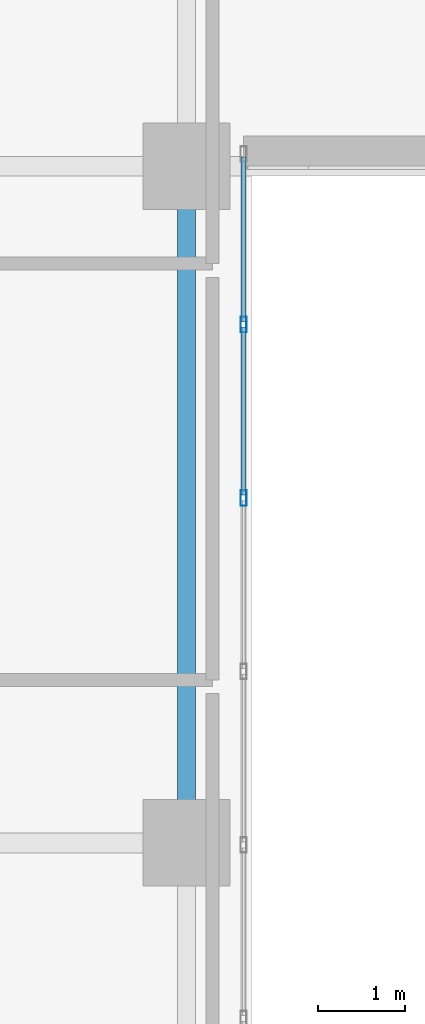
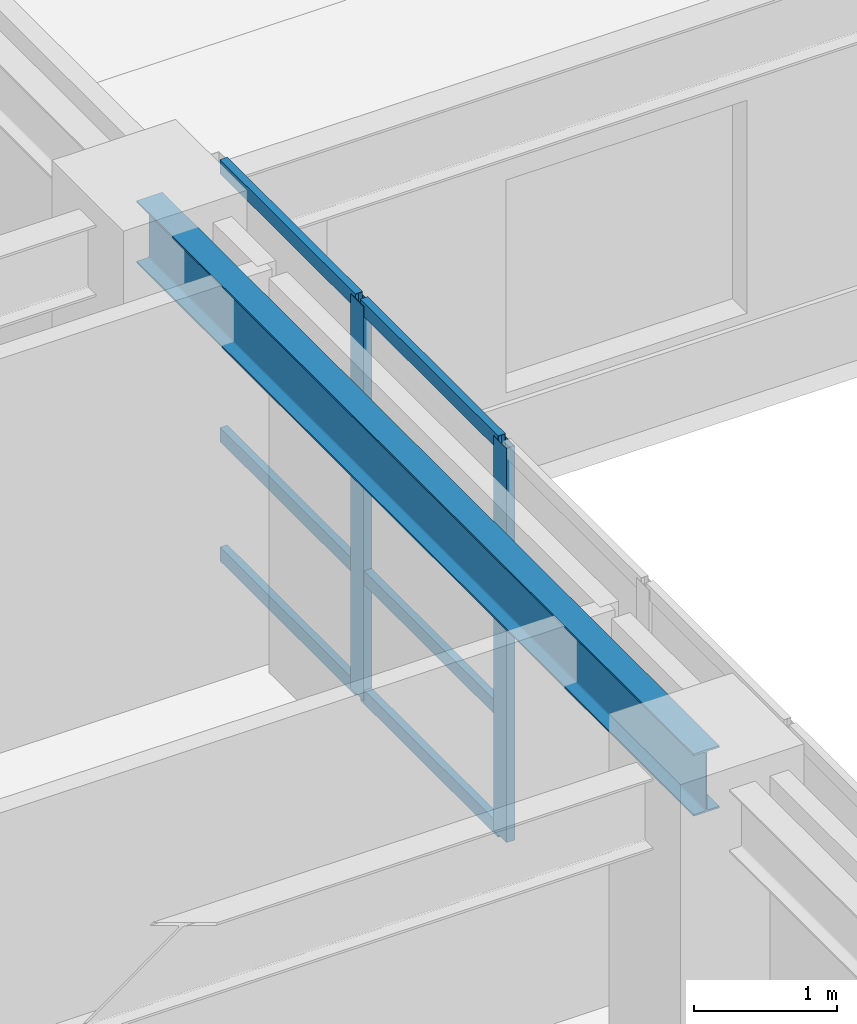
# One storey, part 3 of 25: 8 members, 1 beam, 1 element without a shape of its own.
"""IFC4 building model written with IfcOpenShell, lengths in metres."""

import ifcopenshell
import ifcopenshell.guid

model = None  # the IFC model being written
_history = None  # IfcOwnerHistory: only IFC2X3 demands one
_inside = {}  # id of a spatial element -> (the spatial element, [elements in it])
_under = {}  # id of a project, library or spatial element -> (it, [spatial elements below it])
_declared = {}  # id of a project -> (the project, [libraries it declares])
_typed = {}  # id of a type object -> (the type object, [elements of that type])
_made_of = {}  # id of a material, layer set ... -> (it, [elements and type objects made of it])


def new_model(schema):
    """Start an empty IFC model of exactly this schema.

    Asked for "IFC4X3", IfcOpenShell would pick the latest addendum, in which some entities
    have other attributes; the version numbers below select the first issue.
    IFC2X3 requires an IfcOwnerHistory on every rooted entity: one is made here for all.
    """
    global model, _history
    if schema == "IFC4X3":
        model = ifcopenshell.file(schema_version=(4, 3, 0, 0))
    else:
        model = ifcopenshell.file(schema=schema)
    _inside.clear()
    _under.clear()
    _declared.clear()
    _typed.clear()
    _made_of.clear()
    _history = None
    if model.schema == "IFC2X3":
        org = make("IfcOrganization", Name="unknown")
        user = make(
            "IfcPersonAndOrganization",
            ThePerson=make("IfcPerson", FamilyName="unknown"),
            TheOrganization=org,
        )
        app = make(
            "IfcApplication",
            ApplicationDeveloper=org,
            Version="unknown",
            ApplicationFullName="unknown",
            ApplicationIdentifier="unknown",
        )
        _history = make(
            "IfcOwnerHistory",
            OwningUser=user,
            OwningApplication=app,
            ChangeAction="ADDED",
            CreationDate=0,
        )
    return model


def make(cls, **values):
    """One entity of the class cls with the attributes given. An attribute that is None is left unset."""
    return model.create_entity(
        cls, **{name: value for name, value in values.items() if value is not None}
    )


def rooted(cls, **values):
    """An entity with a GlobalId (a new one), such as an element, a storey or a relation."""
    return make(cls, GlobalId=ifcopenshell.guid.new(), OwnerHistory=_history, **values)


def si_unit(unit_type, name, prefix=None):
    """IfcSIUnit, for example si_unit("LENGTHUNIT", "METRE", prefix="MILLI")."""
    return make("IfcSIUnit", UnitType=unit_type, Prefix=prefix, Name=name)


def assignment(units):
    """IfcUnitAssignment: the units of a project."""
    return None if units is None else make("IfcUnitAssignment", Units=units)


def point(xyz):
    """IfcCartesianPoint."""
    return None if xyz is None else make("IfcCartesianPoint", Coordinates=xyz)


def direction(xyz):
    """IfcDirection."""
    return None if xyz is None else make("IfcDirection", DirectionRatios=xyz)


def frame(location, z_axis=None, x_axis=None):
    """IfcAxis2Placement3D, a coordinate frame: its origin and axes. An axis left out is left unset."""
    return make(
        "IfcAxis2Placement3D",
        Location=point(location),
        Axis=direction(z_axis),
        RefDirection=direction(x_axis),
    )


def frame_2d(location, x_axis=None):
    """IfcAxis2Placement2D, a coordinate frame in the plane: its origin and x axis."""
    return make(
        "IfcAxis2Placement2D", Location=point(location), RefDirection=direction(x_axis)
    )


def origin():
    """The frame at (0, 0, 0) with its axes left unset."""
    return frame((0.0, 0.0, 0.0))


def origin_2d():
    """The frame at (0, 0) in the plane with its x axis left unset."""
    return frame_2d((0.0, 0.0))


def place(relative_to, where):
    """IfcLocalPlacement: puts the frame where relative to a parent placement (None: the world)."""
    return make(
        "IfcLocalPlacement", PlacementRelTo=relative_to, RelativePlacement=where
    )


def context(
    kind, dimensions, precision=None, world=None, true_north=None, identifier=None
):
    """IfcGeometricRepresentationContext, for example the 3D "Model" context."""
    return make(
        "IfcGeometricRepresentationContext",
        ContextIdentifier=identifier,
        ContextType=kind,
        CoordinateSpaceDimension=dimensions,
        Precision=precision,
        WorldCoordinateSystem=world,
        TrueNorth=true_north,
    )


def subcontext(parent, identifier, kind, view, scale=None):
    """IfcGeometricRepresentationSubContext, for example "Body" below "Model"."""
    return make(
        "IfcGeometricRepresentationSubContext",
        ContextIdentifier=identifier,
        ContextType=kind,
        ParentContext=parent,
        TargetScale=scale,
        TargetView=view,
    )


def project(units=None, contexts=None):
    """IfcProject with its units and contexts."""
    return rooted(
        "IfcProject",
        Name="project",
        RepresentationContexts=contexts,
        UnitsInContext=assignment(units),
    )


def spatial(cls, under=None, at=None, **own):
    """A site, building, storey or space (cls), placed at a placement, below another one or the project."""
    s = rooted(cls, ObjectPlacement=at, **own)
    if under is not None:
        _under.setdefault(under.id(), (under, []))[1].append(s)
    return s


def profile(cls, at=None, kind="AREA", **sizes):
    """A parametric profile (cls). Its sizes go by their IFC names, for example OverallWidth=200.0."""
    return make(cls, ProfileType=kind, Position=at, **sizes)


def hollow_rectangle(**sizes):
    """IfcRectangleHollowProfileDef."""
    return profile("IfcRectangleHollowProfileDef", **sizes)


def i_section(**sizes):
    """IfcIShapeProfileDef."""
    return profile("IfcIShapeProfileDef", **sizes)


def extrude(swept, where, along, depth):
    """IfcExtrudedAreaSolid: the profile swept, set in the frame where, extruded along a direction by depth."""
    return make(
        "IfcExtrudedAreaSolid",
        SweptArea=swept,
        Position=where,
        ExtrudedDirection=direction(along),
        Depth=depth,
    )


def shape(context_of_items, identifier, shape_type, items):
    """IfcShapeRepresentation: the items that make up one representation, for example the "Body"."""
    return make(
        "IfcShapeRepresentation",
        ContextOfItems=context_of_items,
        RepresentationIdentifier=identifier,
        RepresentationType=shape_type,
        Items=items,
    )


def source(mapping_origin, context_of_items, identifier, shape_type, items):
    """IfcRepresentationMap: a shape defined once, which mapped items show again and again."""
    return make(
        "IfcRepresentationMap",
        MappingOrigin=mapping_origin,
        MappedRepresentation=shape(context_of_items, identifier, shape_type, items),
    )


def transform(
    local_origin,
    x_axis=None,
    y_axis=None,
    z_axis=None,
    scale=None,
    scale2=None,
    scale3=None,
    uniform=True,
):
    """IfcCartesianTransformationOperator3D, or its non-uniform kind. x_axis, y_axis, z_axis: its Axis1, 2, 3."""
    if uniform:
        return make(
            "IfcCartesianTransformationOperator3D",
            Axis1=direction(x_axis),
            Axis2=direction(y_axis),
            LocalOrigin=point(local_origin),
            Scale=scale,
            Axis3=direction(z_axis),
        )
    return make(
        "IfcCartesianTransformationOperator3DnonUniform",
        Axis1=direction(x_axis),
        Axis2=direction(y_axis),
        LocalOrigin=point(local_origin),
        Scale=scale,
        Axis3=direction(z_axis),
        Scale2=scale2,
        Scale3=scale3,
    )


def mapped(mapping_source, mapping_target):
    """IfcMappedItem: shows the shape of a source again, moved by a transform."""
    return make(
        "IfcMappedItem", MappingSource=mapping_source, MappingTarget=mapping_target
    )


def material(Name=None, Category=None):
    """IfcMaterial."""
    return make("IfcMaterial", Name=Name, Category=Category)


def layer(
    of_material, thickness, ventilated=None, Name=None, Category=None, Priority=None
):
    """IfcMaterialLayer: one layer of a wall or slab, of a material (None: an air gap)."""
    return make(
        "IfcMaterialLayer",
        Material=of_material,
        LayerThickness=thickness,
        IsVentilated=ventilated,
        Name=Name,
        Category=Category,
        Priority=Priority,
    )


def layer_set(layers, Name=None):
    """IfcMaterialLayerSet."""
    return make("IfcMaterialLayerSet", MaterialLayers=layers, LayerSetName=Name)


def material_profile(
    of_material, cross_section, Name=None, Category=None, Priority=None
):
    """IfcMaterialProfile: a cross section and its material."""
    return make(
        "IfcMaterialProfile",
        Name=Name,
        Material=of_material,
        Profile=cross_section,
        Priority=Priority,
        Category=Category,
    )


def profile_set(profiles, Name=None, composite=None):
    """IfcMaterialProfileSet."""
    return make(
        "IfcMaterialProfileSet",
        Name=Name,
        MaterialProfiles=profiles,
        CompositeProfile=composite,
    )


def made_of(thing, what):
    """Note that an element or type object is made of a material, layer set ...; save() writes the relation."""
    if what is not None:
        _made_of.setdefault(what.id(), (what, []))[1].append(thing)
    return thing


def type_object(cls, material=None, **own):
    """A type object (cls), such as IfcWallType, which elements share."""
    return made_of(rooted(cls, **own), material)


def type_shapes(of_type, sources):
    """Give a type object the sources (RepresentationMaps) that its elements show as mapped items."""
    of_type.RepresentationMaps = sources


def element(
    cls,
    number,
    at=None,
    inside=None,
    cuts=None,
    type_object=None,
    material=None,
    context=None,
    identifier="Body",
    shape_type=None,
    held_by="IfcProductDefinitionShape",
    body=None,
    shapes=None,
    **own,
):
    """One element of the class cls, such as IfcWall. Its Tag is "e" and its number.

    at: its placement. inside: the storey or other place that contains it. cuts: it is an
    opening in that element (IfcRelVoidsElement). A single representation is given by context,
    identifier, shape_type and body (its items); several are given by shapes. held_by: the class
    of the entity that holds the representations. save() writes the other relations.
    """
    e = rooted(cls, Tag="e%d" % number, ObjectPlacement=at, **own)
    if body is not None:
        shapes = [shape(context, identifier, shape_type, body)]
    if shapes is not None:
        e.Representation = make(held_by, Representations=shapes)
    if inside is not None:
        _inside.setdefault(inside.id(), (inside, []))[1].append(e)
    if cuts is not None:
        rooted(
            "IfcRelVoidsElement", RelatingBuildingElement=cuts, RelatedOpeningElement=e
        )
    if type_object is not None:
        _typed.setdefault(type_object.id(), (type_object, []))[1].append(e)
    return made_of(e, material)


def aggregate(whole, parts):
    """IfcRelAggregates: a whole, such as a stair, and the parts it consists of."""
    return rooted("IfcRelAggregates", RelatingObject=whole, RelatedObjects=parts)


def save(model, path):
    """Write the relations noted so far, then the file.

    IfcRelAggregates (storeys below a building ...), IfcRelContainedInSpatialStructure (elements
    in a storey), IfcRelDefinesByType, IfcRelAssociatesMaterial and IfcRelDeclares: one each for
    every whole, place, type object, material and project.
    """
    for whole, parts in _under.values():
        aggregate(whole, parts)
    for where, things in _inside.values():
        rooted(
            "IfcRelContainedInSpatialStructure",
            RelatedElements=things,
            RelatingStructure=where,
        )
    for kind, things in _typed.values():
        rooted("IfcRelDefinesByType", RelatedObjects=things, RelatingType=kind)
    for what, things in _made_of.values():
        rooted("IfcRelAssociatesMaterial", RelatedObjects=things, RelatingMaterial=what)
    for by, libraries in _declared.values():
        rooted("IfcRelDeclares", RelatingContext=by, RelatedDefinitions=libraries)
    model.write(path)


model = new_model("IFC4")

# Units and contexts
model_context = context("Model", 3, precision=1e-05, world=origin(), true_north=direction((0.0, 1.0)))
body_context = subcontext(model_context, "Body", "Model", "MODEL_VIEW")
ifc_project = project(units=[si_unit("LENGTHUNIT", "METRE"), si_unit("AREAUNIT", "SQUARE_METRE"), si_unit("VOLUMEUNIT", "CUBIC_METRE"), si_unit("PLANEANGLEUNIT", "RADIAN"), si_unit("MASSUNIT", "GRAM", prefix="KILO")], contexts=[model_context])

# Site, building, storey
site_placement = place(None, origin())
site = spatial("IfcSite", under=ifc_project, at=site_placement, CompositionType="ELEMENT")
building_placement = place(site_placement, origin())
building = spatial("IfcBuilding", under=site, at=building_placement, Name="Tolvann Quenvar Hotel", CompositionType="ELEMENT")
storey_placement = place(building_placement, frame((0.0, 0.0, 46.199951171875)))
storey = spatial("IfcBuildingStorey", under=building, at=storey_placement, Name="L10", CompositionType="ELEMENT", Elevation=46.199951171875)

# Beam
ifc_material_1 = material(Name="Steel Grade 350", Category="steel")
ifc_material_profile_1 = material_profile(ifc_material_1, i_section(OverallWidth=0.208984375, OverallDepth=0.532958984375, WebThickness=0.01025390625, FlangeThickness=0.015625, FilletRadius=0.013916015625, at=origin_2d()), Name="530UB92")
ifc_profile_set_1 = profile_set([ifc_material_profile_1], Name="Steel Grade 350")
beam_type = type_object("IfcBeamType", Name="BM_GIRD_530UB92", PredefinedType="BEAM", material=ifc_profile_set_1)
shared_shape_1 = source(origin(), body_context, "Body", "SweptSolid", [
    extrude(i_section(OverallWidth=0.208984375, OverallDepth=0.532958984375, WebThickness=0.01025390625, FlangeThickness=0.015625, FilletRadius=0.013916015625, at=origin_2d()), origin(), (0.0, 0.0, 1.0), 7.800048828125),
])
type_shapes(beam_type, [shared_shape_1])
beam_placement = place(storey_placement, frame((22.050048828125, 8.199951171875, 3.103515625), z_axis=(0.0, 1.0, 0.0), x_axis=(-1.0, 0.0, 0.0)))
element("IfcBeam", 1, at=beam_placement, inside=storey, type_object=beam_type, Name="BM-L10-NS-E3-E4", PredefinedType="BEAM", context=body_context, shape_type="MappedRepresentation", body=[
    mapped(shared_shape_1, transform((0.0, 0.0, 0.0), x_axis=(1.0, 0.0, 0.0), y_axis=(0.0, 1.0, 0.0), z_axis=(0.0, 0.0, 1.0), scale=1.0)),
])

# Curtain wall, members
ifc_material_2 = material(Name="Thermally broken anodised architectural aluminium 6063-T6 and laminated low-E glass", Category="aluminium")
ifc_layer = layer(ifc_material_2, 0.179931640625)
ifc_layer_set = layer_set([ifc_layer], Name="Thermally broken anodised architectural aluminium 6063-T6 and laminated low-E glass")
curtain_wall_type = type_object("IfcCurtainWallType", Name="CW_SYS_SLOT_03", PredefinedType="USERDEFINED", material=ifc_layer_set)
curtain_wall_placement = place(storey_placement, origin())
curtain_wall = element("IfcCurtainWall", 2, at=curtain_wall_placement, inside=storey, type_object=curtain_wall_type, Name="Curtain Wall CW-SLOT-03 (CWR-L10-E05)", ObjectType="UNITISED CURTAIN WALL", PredefinedType="USERDEFINED")
ifc_material_3 = material(Name="Anodised architectural aluminium 6063-T6 framing", Category="aluminium")
ifc_material_profile_2 = material_profile(ifc_material_3, hollow_rectangle(XDim=0.070068359375, YDim=0.179931640625, WallThickness=0.00390625, at=origin_2d()), Name="180x70x4RHS")
ifc_profile_set_2 = profile_set([ifc_material_profile_2], Name="Anodised architectural aluminium 6063-T6 framing")
member_type_1 = type_object("IfcMemberType", Name="CW_MULL_180x70", PredefinedType="MULLION", material=ifc_profile_set_2)
shared_shape_2 = source(origin(), body_context, "Body", "SweptSolid", [
    extrude(hollow_rectangle(XDim=0.070068359375, YDim=0.179931640625, WallThickness=0.00390625, at=origin_2d()), origin(), (0.0, 0.0, 1.0), 3.3701171875),
])
type_shapes(member_type_1, [shared_shape_2])
member_1_placement = place(storey_placement, frame((22.7099609375, 12.175048828125, 0.0), z_axis=(0.0, 0.0, 1.0), x_axis=(-1.0, 0.0, 0.0)))
member_1 = element("IfcMember", 3, at=member_1_placement, type_object=member_type_1, Name="CW-SLOT-03 mullion 7", PredefinedType="MULLION", context=body_context, shape_type="MappedRepresentation", body=[
    mapped(shared_shape_2, transform((0.0, 0.0, 0.0), x_axis=(1.0, 0.0, 0.0), y_axis=(0.0, 1.0, 0.0), z_axis=(0.0, 0.0, 1.0), scale=1.0)),
])
member_2_placement = place(storey_placement, frame((22.7099609375, 14.175048828125, 0.0), z_axis=(0.0, 0.0, 1.0), x_axis=(-1.0, 0.0, 0.0)))
member_2 = element("IfcMember", 4, at=member_2_placement, type_object=member_type_1, Name="CW-SLOT-03 mullion 8", PredefinedType="MULLION", context=body_context, shape_type="MappedRepresentation", body=[
    mapped(shared_shape_2, transform((0.0, 0.0, 0.0), x_axis=(1.0, 0.0, 0.0), y_axis=(0.0, 1.0, 0.0), z_axis=(0.0, 0.0, 1.0), scale=1.0)),
])
ifc_material_profile_3 = material_profile(ifc_material_3, hollow_rectangle(XDim=0.06005859375, YDim=0.1201171875, WallThickness=0.00341796875, at=origin_2d()), Name="120x60x3.5RHS")
ifc_profile_set_3 = profile_set([ifc_material_profile_3], Name="Anodised architectural aluminium 6063-T6 framing")
member_type_2 = type_object("IfcMemberType", Name="CW_TRAN_120x60", PredefinedType="USERDEFINED", material=ifc_profile_set_3)
shared_shape_3 = source(origin(), body_context, "Body", "SweptSolid", [
    extrude(hollow_rectangle(XDim=0.06005859375, YDim=0.1201171875, WallThickness=0.00341796875, at=origin_2d()), origin(), (0.0, 0.0, 1.0), 1.929931640625),
])
member_3_placement = place(storey_placement, frame((22.7099609375, 12.2099609375, 0.030029296875), z_axis=(0.0, 1.0, 0.0), x_axis=(-1.0, 0.0, 0.0)))
member_3 = element("IfcMember", 5, at=member_3_placement, type_object=member_type_2, Name="CW-SLOT-03 transom 7.1", ObjectType="TRANSOM", PredefinedType="USERDEFINED", context=body_context, shape_type="MappedRepresentation", body=[
    mapped(shared_shape_3, transform((0.0, 0.0, 0.0), x_axis=(1.0, 0.0, 0.0), y_axis=(0.0, 1.0, 0.0), z_axis=(0.0, 0.0, 1.0), scale=1.0)),
])
member_4_placement = place(storey_placement, frame((22.7099609375, 12.2099609375, 1.050048828125), z_axis=(0.0, 1.0, 0.0), x_axis=(-1.0, 0.0, 0.0)))
member_4 = element("IfcMember", 6, at=member_4_placement, type_object=member_type_2, Name="CW-SLOT-03 transom 7.2", ObjectType="TRANSOM", PredefinedType="USERDEFINED", context=body_context, shape_type="MappedRepresentation", body=[
    mapped(shared_shape_3, transform((0.0, 0.0, 0.0), x_axis=(1.0, 0.0, 0.0), y_axis=(0.0, 1.0, 0.0), z_axis=(0.0, 0.0, 1.0), scale=1.0)),
])
member_5_placement = place(storey_placement, frame((22.7099609375, 12.2099609375, 3.340087890625), z_axis=(0.0, 1.0, 0.0), x_axis=(-1.0, 0.0, 0.0)))
member_5 = element("IfcMember", 7, at=member_5_placement, type_object=member_type_2, Name="CW-SLOT-03 transom 7.3", ObjectType="TRANSOM", PredefinedType="USERDEFINED", context=body_context, shape_type="MappedRepresentation", body=[
    mapped(shared_shape_3, transform((0.0, 0.0, 0.0), x_axis=(1.0, 0.0, 0.0), y_axis=(0.0, 1.0, 0.0), z_axis=(0.0, 0.0, 1.0), scale=1.0)),
])
shared_shape_4 = source(origin(), body_context, "Body", "SweptSolid", [
    extrude(hollow_rectangle(XDim=0.06005859375, YDim=0.1201171875, WallThickness=0.00341796875, at=origin_2d()), origin(), (0.0, 0.0, 1.0), 1.89501953125),
])
type_shapes(member_type_2, [shared_shape_3, shared_shape_4])
member_6_placement = place(storey_placement, frame((22.7099609375, 14.2099609375, 0.030029296875), z_axis=(0.0, 1.0, 0.0), x_axis=(-1.0, 0.0, 0.0)))
member_6 = element("IfcMember", 8, at=member_6_placement, type_object=member_type_2, Name="CW-SLOT-03 transom 8.1", ObjectType="TRANSOM", PredefinedType="USERDEFINED", context=body_context, shape_type="MappedRepresentation", body=[
    mapped(shared_shape_4, transform((0.0, 0.0, 0.0), x_axis=(1.0, 0.0, 0.0), y_axis=(0.0, 1.0, 0.0), z_axis=(0.0, 0.0, 1.0), scale=1.0)),
])
member_7_placement = place(storey_placement, frame((22.7099609375, 14.2099609375, 1.050048828125), z_axis=(0.0, 1.0, 0.0), x_axis=(-1.0, 0.0, 0.0)))
member_7 = element("IfcMember", 9, at=member_7_placement, type_object=member_type_2, Name="CW-SLOT-03 transom 8.2", ObjectType="TRANSOM", PredefinedType="USERDEFINED", context=body_context, shape_type="MappedRepresentation", body=[
    mapped(shared_shape_4, transform((0.0, 0.0, 0.0), x_axis=(1.0, 0.0, 0.0), y_axis=(0.0, 1.0, 0.0), z_axis=(0.0, 0.0, 1.0), scale=1.0)),
])
member_8_placement = place(storey_placement, frame((22.7099609375, 14.2099609375, 3.340087890625), z_axis=(0.0, 1.0, 0.0), x_axis=(-1.0, 0.0, 0.0)))
member_8 = element("IfcMember", 10, at=member_8_placement, type_object=member_type_2, Name="CW-SLOT-03 transom 8.3", ObjectType="TRANSOM", PredefinedType="USERDEFINED", context=body_context, shape_type="MappedRepresentation", body=[
    mapped(shared_shape_4, transform((0.0, 0.0, 0.0), x_axis=(1.0, 0.0, 0.0), y_axis=(0.0, 1.0, 0.0), z_axis=(0.0, 0.0, 1.0), scale=1.0)),
])
aggregate(curtain_wall, [member_1, member_2, member_3, member_4, member_5, member_6, member_7, member_8])

save(model, "model.ifc")
